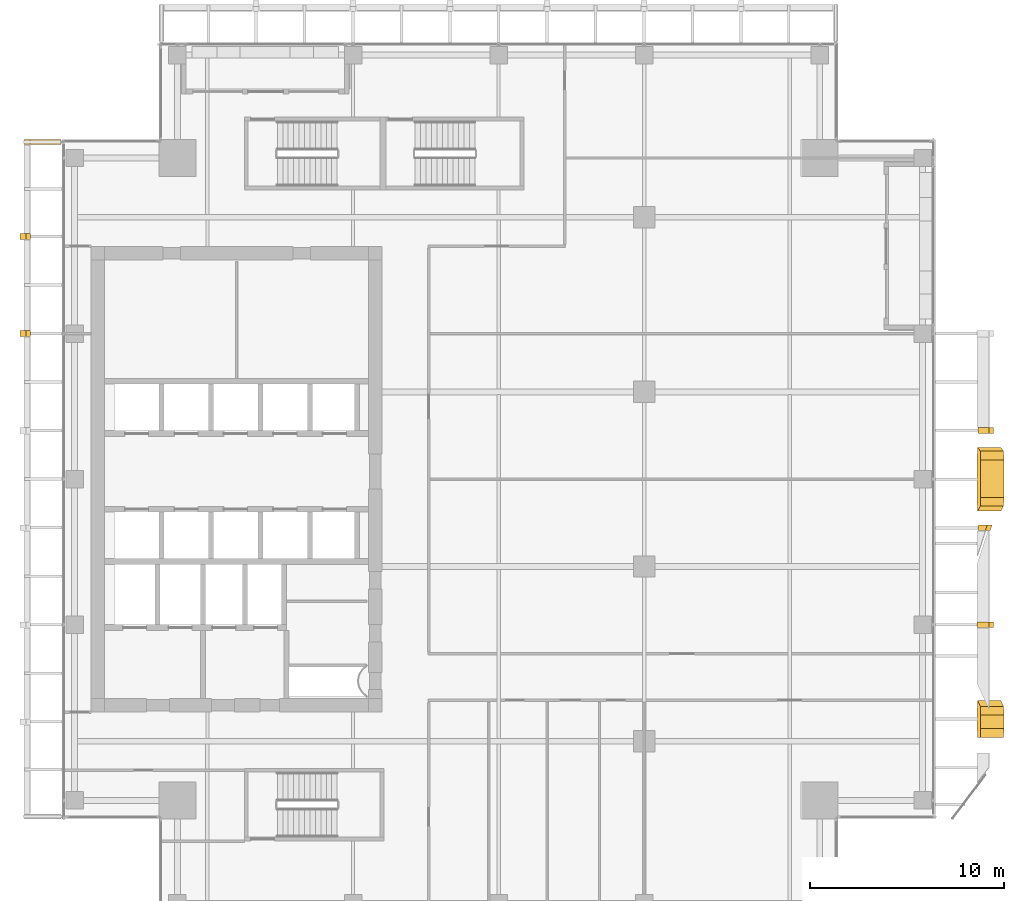
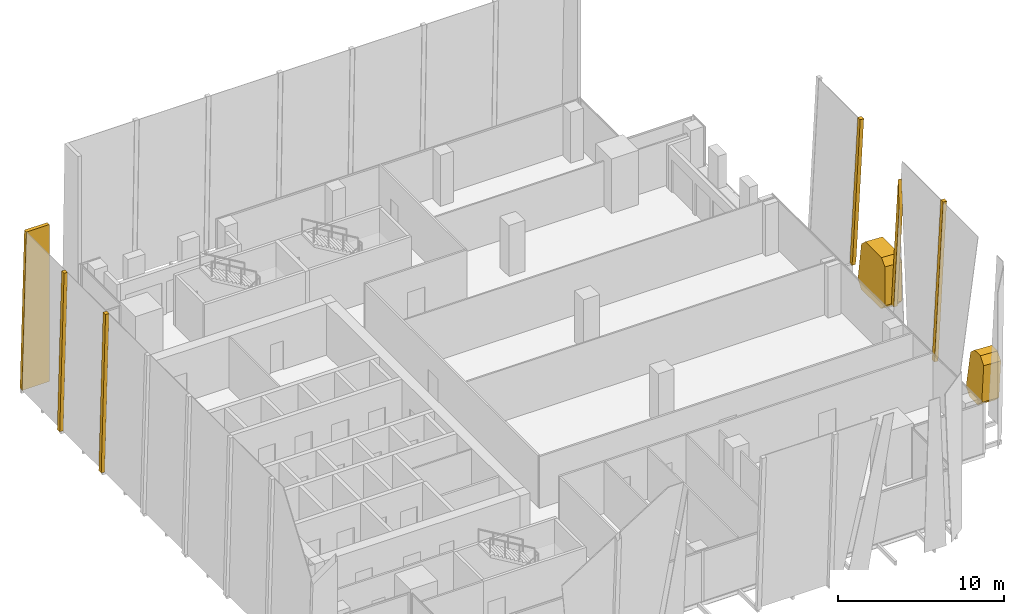
# One storey, part 33 of 35: 8 coverings.
"""IFC4 building model written with IfcOpenShell, lengths in metres."""

from ifc_helpers import new_model, si_unit, direction, frame, origin, place, context, subcontext, project, spatial, polyline, outline, extrude, material, layer, layer_set, type_object, element, save


model = new_model("IFC4")

# Units and contexts
model_context = context("Model", 3, precision=1e-05, world=origin(), true_north=direction((0.0, 1.0)))
body_context = subcontext(model_context, "Body", "Model", "MODEL_VIEW")
ifc_project = project(units=[si_unit("LENGTHUNIT", "METRE"), si_unit("AREAUNIT", "SQUARE_METRE"), si_unit("VOLUMEUNIT", "CUBIC_METRE"), si_unit("PLANEANGLEUNIT", "RADIAN"), si_unit("MASSUNIT", "GRAM", prefix="KILO")], contexts=[model_context])

# Site, building, storey
site_placement = place(None, origin())
site = spatial("IfcSite", under=ifc_project, at=site_placement, CompositionType="ELEMENT")
building_placement = place(site_placement, origin())
building = spatial("IfcBuilding", under=site, at=building_placement, Name="Khomas Fold Tower", CompositionType="ELEMENT")
storey_placement = place(building_placement, frame((0.0, 0.0, 246.199951171875)))
storey = spatial("IfcBuildingStorey", under=building, at=storey_placement, Name="L55", CompositionType="ELEMENT", Elevation=246.199951171875)

# Coverings
ifc_material_1 = material(Name="Natural stone cladding", Category="masonry")
ifc_layer_1 = layer(ifc_material_1, 0.25)
ifc_layer_set_1 = layer_set([ifc_layer_1], Name="Natural stone cladding")
covering_type_1 = type_object("IfcCoveringType", Name="SK-Karibib marble stone mullion", PredefinedType="CLADDING", material=ifc_layer_set_1)
covering_1_placement = place(storey_placement, frame((52.0859375, 24.35009765625, 8.170654296875), z_axis=(-0.998629644289, 0.000311804541, 0.05233293729), x_axis=(0.051715284847, 0.159174197565, 0.985895077654)))
element("IfcCovering", 1, at=covering_1_placement, inside=storey, type_object=covering_type_1, Name="OUTER SKIN mullion L55 EM101-4", PredefinedType="CLADDING", context=body_context, shape_type="SweptSolid", body=[
    extrude(outline(polyline([(0.0, 0.0), (1.883500555151716, 5.551115123125783e-17), (-6.572982623253248, 1.3634371235707152), (-7.048295395142966, 1.3950642691972233), (-7.088943884071996, 1.142949038537552), (0.0, 0.0)])), origin(), (0.0, 0.0, -1.0), 0.25),
])
covering_2_placement = place(storey_placement, frame((51.65771484375, 19.35009765625, 0.0), z_axis=(-0.99862882819, 0.0, 0.052349436554), x_axis=(0.052349436554, 0.0, 0.99862882819)))
element("IfcCovering", 2, at=covering_2_placement, inside=storey, type_object=covering_type_1, Name="OUTER SKIN mullion L55 EM100-6", PredefinedType="CLADDING", context=body_context, shape_type="SweptSolid", body=[
    extrude(outline(polyline([(0.0, 0.0), (11.565907674683308, 0.0), (11.565907674683308, 0.2998046875), (0.0, 0.2998046875), (0.0, 0.0)])), origin(), (0.0, 0.0, -1.0), 0.25),
])
covering_3_placement = place(storey_placement, frame((51.744140625, 29.35009765625, 1.64794921875), z_axis=(-0.99862915849, 4.4453568e-05, 0.052343116425), x_axis=(0.052343116477, 1.11e-10, 0.998629159477)))
element("IfcCovering", 3, at=covering_3_placement, inside=storey, type_object=covering_type_1, Name="OUTER SKIN mullion L55 EM102-8", PredefinedType="CLADDING", context=body_context, shape_type="SweptSolid", body=[
    extrude(outline(polyline([(0.0, 0.0), (9.915693736536225, 0.0), (9.91569373656941, 0.29980468720377507), (-0.6488372759536088, 0.2998046884604953), (-0.6488372759819031, 0.04418945433805839), (0.0, 0.0)])), origin(), (0.0, 0.0, -1.0), 0.25),
])
for number, where, z_axis, x_axis, name in (
    (4, (2.339111328125, 34.35009765625, 0.006591796875), (-0.999657230839, 0.0, 0.026180543005), (0.0, 1.0, 0.0), "OUTER SKIN mullion L55 W10"),
    (5, (2.339111328125, 39.35009765625, 0.006591796875), (-0.999657230839, 0.0, 0.026180543005), (0.0, 1.0, 0.0), "OUTER SKIN mullion L55 W12"),
):
    element("IfcCovering", number, at=place(storey_placement, frame(where, z_axis=z_axis, x_axis=x_axis)), inside=storey, type_object=covering_type_1, Name=name, PredefinedType="CLADDING", context=body_context, shape_type="SweptSolid", body=[
        extrude(outline(polyline([(0.0, 0.0), (0.2998046875, 0.0), (0.2998046875, -11.554009186164079), (0.0, -11.554009186164079), (0.0, 0.0)])), origin(), (0.0, 0.0, -1.0), 0.25),
    ])
covering_4_placement = place(storey_placement, frame((4.449951171875, 44.5, 0.0), z_axis=(0.0, 1.0, 0.0), x_axis=(-1.0, 0.0, 0.0)))
element("IfcCovering", 6, at=covering_4_placement, inside=storey, type_object=covering_type_1, Name="OUTER SKIN return L55 W2", PredefinedType="CLADDING", context=body_context, shape_type="SweptSolid", body=[
    extrude(outline(polyline([(0.0, 0.0), (1.90087890625, 0.0), (1.598388671875, 11.550048828125), (0.0, 11.550048828125), (0.0, 0.0)])), origin(), (0.0, 0.0, -1.0), 0.25),
])
ifc_material_2 = material(Name="Natural stone cladding", Category="masonry")
ifc_layer_2 = layer(ifc_material_2, 1.199951171875)
ifc_layer_set_2 = layer_set([ifc_layer_2], Name="Natural stone cladding")
covering_type_2 = type_object("IfcCoveringType", Name="SK-Karibib marble stone panel", PredefinedType="CLADDING", material=ifc_layer_set_2)
covering_5_placement = place(storey_placement, frame((51.822998046875, 15.291748046875, 3.150390625), z_axis=(-0.998629135517, 2.6567774e-05, 0.052343566845), x_axis=(-0.052013470225, 0.111626484717, -0.992388092847)))
element("IfcCovering", 7, at=covering_5_placement, inside=storey, type_object=covering_type_2, Name="OUTER SKIN leaf L55 ES03-1", PredefinedType="CLADDING", context=body_context, shape_type="SweptSolid", body=[
    extrude(outline(polyline([(0.0, 0.0), (2.670474694886158, 0.0), (3.118383035587075, 0.5001457152788608), (3.0075468751024954, 1.4868601197999487), (2.5095624578508002, 1.883703215395463), (-0.1276368615862133, 1.587470540716277), (-0.5251556450152008, 1.0900369047342444), (-0.44759485997976595, 0.39955517489234205), (0.0, 0.0)])), origin(), (0.0, 0.0, -1.0), 1.199951171875),
])
covering_6_placement = place(storey_placement, frame((51.82177734375, 28.447021484375, 3.130615234375), z_axis=(-0.998629537906, -3.6961496e-05, 0.052335883059), x_axis=(-0.052217510229, 0.067926887527, -0.996322874161)))
element("IfcCovering", 8, at=covering_6_placement, inside=storey, type_object=covering_type_2, Name="OUTER SKIN leaf L55 ES06-2", PredefinedType="CLADDING", context=body_context, shape_type="SweptSolid", body=[
    extrude(outline(polyline([(0.0, 0.0), (2.659684115291373, 0.0), (3.109461586849603, 0.4803920145643468), (2.9484834869419734, 2.844791367884764), (2.4263233773217774, 3.258275730674263), (-0.20436689523634197, 2.828833387832668), (-0.5812605194129264, 2.354137721922434), (-0.449536088840525, 0.4194077267206131), (0.0, 0.0)])), origin(), (0.0, 0.0, -1.0), 1.199951171875),
])

save(model, "model.ifc")
